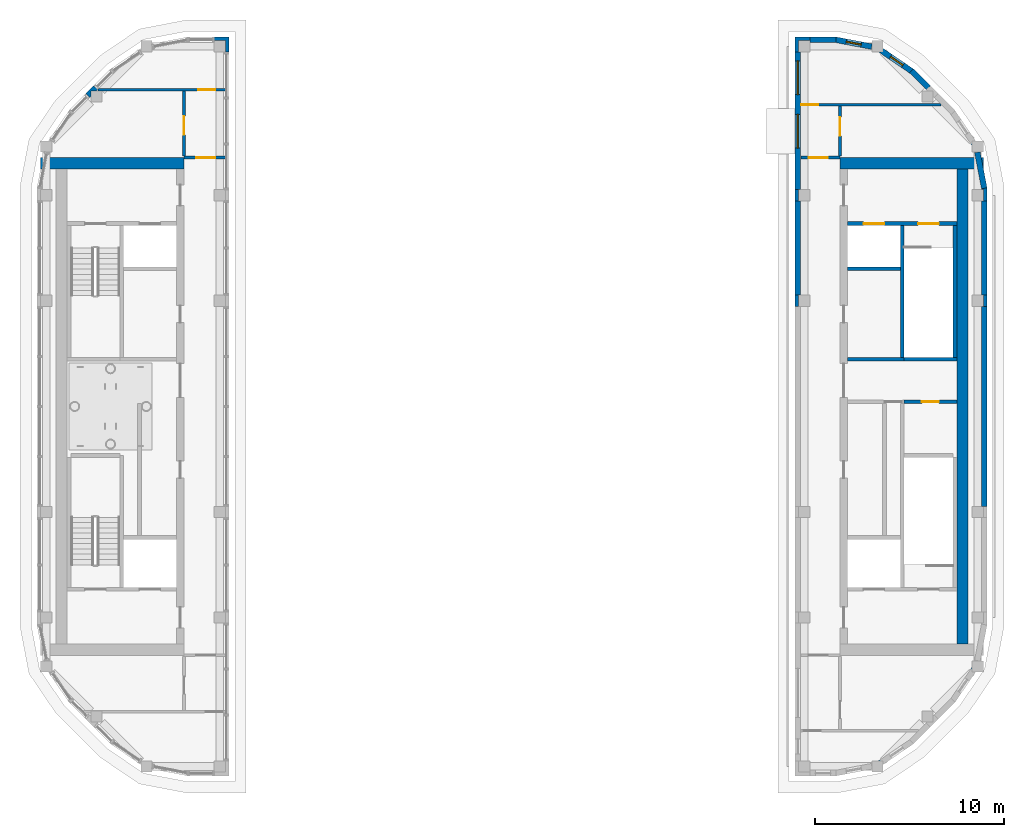
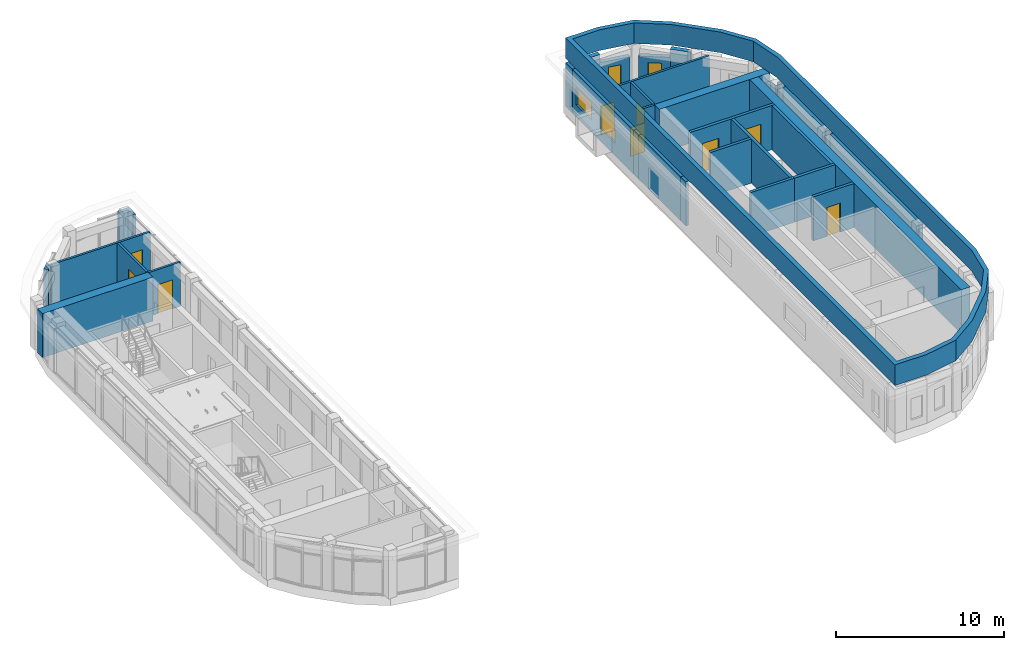
# One storey, part 11 of 16: 33 walls, 9 doors, 4 windows, 13 openings.
"""IFC4 building model written with IfcOpenShell, lengths in metres."""

from ifc_helpers import new_model, si_unit, direction, frame, frame_2d, origin, place, context, subcontext, project, spatial, polyline, rectangle, outline, extrude, material, layer, layer_set, type_object, element, fill, save


model = new_model("IFC4")

# Units and contexts
model_context = context("Model", 3, precision=1e-05, world=origin(), true_north=direction((0.0, 1.0)))
body_context = subcontext(model_context, "Body", "Model", "MODEL_VIEW")
ifc_project = project(units=[si_unit("LENGTHUNIT", "METRE"), si_unit("AREAUNIT", "SQUARE_METRE"), si_unit("VOLUMEUNIT", "CUBIC_METRE"), si_unit("PLANEANGLEUNIT", "RADIAN"), si_unit("MASSUNIT", "GRAM", prefix="KILO")], contexts=[model_context])

# Site, building, storey
site_placement = place(None, origin())
site = spatial("IfcSite", under=ifc_project, at=site_placement, CompositionType="ELEMENT")
building_placement = place(site_placement, origin())
building = spatial("IfcBuilding", under=site, at=building_placement, Name="Kiln Ring Residences", CompositionType="ELEMENT")
storey_placement = place(building_placement, frame((0.0, 0.0, 313.89990234375)))
storey = spatial("IfcBuildingStorey", under=building, at=storey_placement, Name="L81 Crown", CompositionType="ELEMENT", Elevation=313.89990234375)

# Wall, opening, door
ifc_material_1 = material(Name="Gypsum board on steel studs", Category="steel")
ifc_layer_1 = layer(ifc_material_1, 0.199951171875)
ifc_layer_set_1 = layer_set([ifc_layer_1], Name="CORE-PARTITION-200")
wall_type_1 = type_object("IfcWallType", Name="CORE-PARTITION-200", PredefinedType="PARTITIONING", material=ifc_layer_set_1)
wall_1_placement = place(storey_placement, frame((20.800048828125, 0.25, 0.0), z_axis=(0.0, 0.0, 1.0), x_axis=(1.0, 0.0, 0.0)))
wall_1 = element("IfcWall", 1, at=wall_1_placement, inside=storey, type_object=wall_type_1, Name="Core partition east L81 Crown 1", PredefinedType="PARTITIONING", context=body_context, shape_type="SweptSolid", body=[
    extrude(rectangle(XDim=2.800048828125, YDim=0.199951171875, at=frame_2d((1.39990234375, 0.0))), origin(), (0.0, 0.0, 1.0), 3.2001953125),
])
opening_1_placement = place(wall_1_placement, frame((0.949951171875, 0.0, 0.0)))
opening_1 = element("IfcOpeningElement", 2, at=opening_1_placement, cuts=wall_1, Name="Opening L81-CE11", PredefinedType="OPENING", context=body_context, shape_type="SweptSolid", body=[
    extrude(rectangle(XDim=0.89990234375, YDim=2.10009765625, at=frame_2d((0.449951171875, 1.050048828125))), frame((0.0, 0.10986328125, 0.0), z_axis=(0.0, -1.0, 0.0), x_axis=(1.0, 0.0, 0.0)), (0.0, 0.0, 1.0), 0.219970703125),
])
ifc_material_2 = material(Name="Steel door leaf", Category="steel")
door_type_1 = type_object("IfcDoorType", Name="CORE-DOOR-ROOM", OperationType="SINGLE_SWING_LEFT", PredefinedType="DOOR", material=ifc_material_2)
door_1_placement = place(opening_1_placement, origin())
door_1 = element("IfcDoor", 3, at=door_1_placement, inside=storey, type_object=door_type_1, Name="Linen store L81-CE11", OperationType="SINGLE_SWING_RIGHT", OverallHeight=2.10009765625, OverallWidth=0.89990234375, PredefinedType="DOOR", context=body_context, shape_type="SweptSolid", body=[
    extrude(rectangle(XDim=0.89990234375, YDim=2.10009765625, at=frame_2d((0.449951171875, 1.050048828125))), frame((0.0, 0.02490234375, 0.0), z_axis=(0.0, -1.0, 0.0), x_axis=(1.0, 0.0, 0.0)), (0.0, 0.0, 1.0), 0.050048828125),
])
fill(opening_1, door_1)

# Walls
ifc_material_3 = material(Name="Gypsum shaft wall system")
ifc_layer_2 = layer(ifc_material_3, 0.199951171875)
ifc_layer_set_2 = layer_set([ifc_layer_2], Name="CORE-SHAFT-WALL-200")
wall_type_2 = type_object("IfcWallType", Name="CORE-SHAFT-WALL-200", PredefinedType="PARTITIONING", material=ifc_layer_set_2)
wall_2_placement = place(storey_placement, frame((17.800048828125, 2.5, 0.0), z_axis=(0.0, 0.0, 1.0), x_axis=(1.0, 0.0, 0.0)))
element("IfcWall", 4, at=wall_2_placement, inside=storey, type_object=wall_type_2, Name="Core partition east L81 Crown 5", PredefinedType="PARTITIONING", context=body_context, shape_type="SweptSolid", body=[
    extrude(rectangle(XDim=3.0, YDim=0.199951171875, at=frame_2d((1.5, 0.0))), origin(), (0.0, 0.0, 1.0), 3.2001953125),
])
wall_3_placement = place(storey_placement, frame((17.800048828125, 7.300048828125, 0.0), z_axis=(0.0, 0.0, 1.0), x_axis=(1.0, 0.0, 0.0)))
element("IfcWall", 5, at=wall_3_placement, inside=storey, type_object=wall_type_2, Name="Core partition east L81 Crown 6", PredefinedType="PARTITIONING", context=body_context, shape_type="SweptSolid", body=[
    extrude(rectangle(XDim=2.800048828125, YDim=0.199951171875, at=frame_2d((1.39990234375, 0.0))), origin(), (0.0, 0.0, 1.0), 3.2001953125),
])
ifc_material_4 = material(Name="Concrete C40/50", Category="concrete")
ifc_layer_3 = layer(ifc_material_4, 0.199951171875)
ifc_layer_set_3 = layer_set([ifc_layer_3], Name="CORE-WALL-RC200")
wall_type_3 = type_object("IfcWallType", Name="CORE-WALL-RC200", PredefinedType="SHEAR", material=ifc_layer_set_3)
wall_4_placement = place(storey_placement, frame((20.699951171875, 2.60009765625, 0.0), z_axis=(0.0, 0.0, 1.0), x_axis=(0.0, 1.0, 0.0)))
element("IfcWall", 6, at=wall_4_placement, inside=storey, type_object=wall_type_3, Name="Core wall east L81 Crown 1", PredefinedType="SHEAR", context=body_context, shape_type="SweptSolid", body=[
    extrude(rectangle(XDim=7.0, YDim=0.199951171875, at=frame_2d((3.5, 0.0))), origin(), (0.0, 0.0, 1.0), 3.2001953125),
])
wall_5_placement = place(storey_placement, frame((20.800048828125, 2.5, 0.0), z_axis=(0.0, 0.0, 1.0), x_axis=(1.0, 0.0, 0.0)))
element("IfcWall", 7, at=wall_5_placement, inside=storey, type_object=wall_type_3, Name="Core wall east L81 Crown 3", PredefinedType="SHEAR", context=body_context, shape_type="SweptSolid", body=[
    extrude(rectangle(XDim=2.800048828125, YDim=0.199951171875, at=frame_2d((1.39990234375, 0.0))), origin(), (0.0, 0.0, 1.0), 3.2001953125),
])

# Wall, openings, doors
wall_6_placement = place(storey_placement, frame((17.800048828125, 9.699951171875, 0.0), z_axis=(0.0, 0.0, 1.0), x_axis=(1.0, 0.0, 0.0)))
wall_6 = element("IfcWall", 8, at=wall_6_placement, inside=storey, type_object=wall_type_3, Name="Core wall east L81 Crown 9", PredefinedType="SHEAR", context=body_context, shape_type="SweptSolid", body=[
    extrude(rectangle(XDim=5.800048828125, YDim=0.199951171875, at=frame_2d((2.89990234375, 0.0))), origin(), (0.0, 0.0, 1.0), 3.2001953125),
])
opening_2_placement = place(wall_6_placement, frame((0.85009765625, 0.0, 0.0)))
opening_2 = element("IfcOpeningElement", 9, at=opening_2_placement, cuts=wall_6, Name="Opening L81-CE05", PredefinedType="OPENING", context=body_context, shape_type="SweptSolid", body=[
    extrude(rectangle(XDim=1.10009765625, YDim=2.10009765625, at=frame_2d((0.550048828125, 1.050048828125))), frame((0.0, 0.10986328125, 0.0), z_axis=(0.0, -1.0, 0.0), x_axis=(1.0, 0.0, 0.0)), (0.0, 0.0, 1.0), 0.219970703125),
])
opening_3_placement = place(wall_6_placement, frame((3.75, 0.0, 0.0)))
opening_3 = element("IfcOpeningElement", 10, at=opening_3_placement, cuts=wall_6, Name="Opening L81-CE08", PredefinedType="OPENING", context=body_context, shape_type="SweptSolid", body=[
    extrude(rectangle(XDim=1.10009765625, YDim=2.10009765625, at=frame_2d((0.550048828125, 1.050048828125))), frame((0.0, 0.10986328125, 0.0), z_axis=(0.0, -1.0, 0.0), x_axis=(1.0, 0.0, 0.0)), (0.0, 0.0, 1.0), 0.219970703125),
])
ifc_material_5 = material(Name="Steel door leaf", Category="steel")
door_type_2 = type_object("IfcDoorType", Name="CORE-DOOR-LD", OperationType="DOUBLE_DOOR_SLIDING", PredefinedType="DOOR", material=ifc_material_5)
door_2_placement = place(opening_2_placement, origin())
door_2 = element("IfcDoor", 11, at=door_2_placement, inside=storey, type_object=door_type_2, Name="LD E-FF L81-CE05", OperationType="DOUBLE_DOOR_SLIDING", OverallHeight=2.10009765625, OverallWidth=1.10009765625, PredefinedType="DOOR", context=body_context, shape_type="SweptSolid", body=[
    extrude(rectangle(XDim=1.10009765625, YDim=2.10009765625, at=frame_2d((0.550048828125, 1.050048828125))), frame((0.0, 0.02490234375, 0.0), z_axis=(0.0, -1.0, 0.0), x_axis=(1.0, 0.0, 0.0)), (0.0, 0.0, 1.0), 0.050048828125),
])
fill(opening_2, door_2)
ifc_material_6 = material(Name="Steel door leaf", Category="steel")
door_type_3 = type_object("IfcDoorType", Name="CORE-DOOR-STAIR", OperationType="SINGLE_SWING_LEFT", PredefinedType="DOOR", material=ifc_material_6)
door_3_placement = place(opening_3_placement, origin())
door_3 = element("IfcDoor", 12, at=door_3_placement, inside=storey, type_object=door_type_3, Name="Stair E-STN L81-CE08", OperationType="SINGLE_SWING_LEFT", OverallHeight=2.10009765625, OverallWidth=1.10009765625, PredefinedType="DOOR", context=body_context, shape_type="SweptSolid", body=[
    extrude(rectangle(XDim=1.10009765625, YDim=2.10009765625, at=frame_2d((0.550048828125, 1.050048828125))), frame((0.0, 0.02490234375, 0.0), z_axis=(0.0, -1.0, 0.0), x_axis=(1.0, 0.0, 0.0)), (0.0, 0.0, 1.0), 0.050048828125),
])
fill(opening_3, door_3)

# Walls
wall_7_placement = place(storey_placement, frame((23.5, 2.60009765625, 0.0), z_axis=(0.0, 0.0, 1.0), x_axis=(0.0, 1.0, 0.0)))
element("IfcWall", 13, at=wall_7_placement, inside=storey, type_object=wall_type_3, Name="Core wall east L81 Crown 10", PredefinedType="SHEAR", context=body_context, shape_type="SweptSolid", body=[
    extrude(rectangle(XDim=7.0, YDim=0.199951171875, at=frame_2d((3.5, 0.0))), origin(), (0.0, 0.0, 1.0), 3.2001953125),
])
ifc_material_7 = material(Name="Concrete C60/75", Category="concrete")
ifc_layer_4 = layer(ifc_material_7, 0.60009765625)
ifc_layer_set_4 = layer_set([ifc_layer_4], Name="CORE-WALL-RC600")
wall_type_4 = type_object("IfcWallType", Name="CORE-WALL-RC600", PredefinedType="SHEAR", material=ifc_layer_set_4)
for number, where, z_axis, x_axis, name in (
    (14, (-17.39990234375, 12.89990234375, 0.0), (0.0, 0.0, 1.0), (-1.0, 0.0, 0.0), "Core wall west L81 Crown 4"),
    (15, (17.39990234375, 12.89990234375, 0.0), (0.0, 0.0, 1.0), (1.0, 0.0, 0.0), "Core wall east L81 Crown 4"),
):
    element("IfcWall", number, at=place(storey_placement, frame(where, z_axis=z_axis, x_axis=x_axis)), inside=storey, type_object=wall_type_4, Name=name, PredefinedType="SHEAR", context=body_context, shape_type="SweptSolid", body=[
        extrude(rectangle(XDim=7.60009765625, YDim=0.60009765625, at=frame_2d((3.800048828125, 0.0))), origin(), (0.0, 0.0, 1.0), 3.2001953125),
    ])
wall_8_placement = place(storey_placement, frame((23.89990234375, -12.60009765625, 0.0), z_axis=(0.0, 0.0, 1.0), x_axis=(0.0, 1.0, 0.0)))
element("IfcWall", 16, at=wall_8_placement, inside=storey, type_object=wall_type_4, Name="Core wall east L81 Crown 7", PredefinedType="SHEAR", context=body_context, shape_type="SweptSolid", body=[
    extrude(rectangle(XDim=25.2001953125, YDim=0.60009765625, at=frame_2d((12.60009765625, 0.0))), origin(), (0.0, 0.0, 1.0), 3.2001953125),
])

# Wall, openings, windows
ifc_material_8 = material(Name="Brick masonry, dark clay brick", Category="masonry")
ifc_layer_5 = layer(ifc_material_8, 0.300048828125)
ifc_layer_set_5 = layer_set([ifc_layer_5], Name="EW-300 BRICK WALL")
wall_type_5 = type_object("IfcWallType", Name="EW-300 BRICK WALL", PredefinedType="SOLIDWALL", material=ifc_layer_set_5)
wall_9_placement = place(storey_placement, frame((15.14990234375, 18.800048828125, 0.0), z_axis=(0.0, 0.0, 1.0), x_axis=(0.0, -1.0, 0.0)))
wall_9 = element("IfcWall", 17, at=wall_9_placement, inside=storey, type_object=wall_type_5, Name="Facade wall L81 Crown 1", PredefinedType="SOLIDWALL", context=body_context, shape_type="SweptSolid", body=[
    extrude(rectangle(XDim=7.300048828125, YDim=0.300048828125, at=frame_2d((3.64990234375, 0.0))), origin(), (0.0, 0.0, 1.0), 3.2001953125),
])
opening_4_placement = place(wall_9_placement, frame((0.46240234375, 0.0, 0.89990234375)))
opening_4 = element("IfcOpeningElement", 18, at=opening_4_placement, cuts=wall_9, Name="Opening W2", PredefinedType="OPENING", context=body_context, shape_type="SweptSolid", body=[
    extrude(rectangle(XDim=1.800048828125, YDim=1.25, at=frame_2d((0.89990234375, 0.625))), frame((0.0, 0.159912109375, 0.0), z_axis=(0.0, -1.0, 0.0), x_axis=(1.0, 0.0, 0.0)), (0.0, 0.0, 1.0), 0.320068359375),
])
opening_5_placement = place(wall_9_placement, frame((3.300048828125, 0.0, 0.89990234375)))
opening_5 = element("IfcOpeningElement", 19, at=opening_5_placement, cuts=wall_9, Name="Opening W2", PredefinedType="OPENING", context=body_context, shape_type="SweptSolid", body=[
    extrude(rectangle(XDim=1.800048828125, YDim=1.25, at=frame_2d((0.89990234375, 0.625))), frame((0.0, 0.159912109375, 0.0), z_axis=(0.0, -1.0, 0.0), x_axis=(1.0, 0.0, 0.0)), (0.0, 0.0, 1.0), 0.320068359375),
])
ifc_material_9 = material(Name="Aluminium frame with double glazing", Category="aluminium")
window_type_1 = type_object("IfcWindowType", Name="WINDOW 1800 x 1250", PartitioningType="SINGLE_PANEL", PredefinedType="WINDOW", material=ifc_material_9)
window_1_placement = place(opening_4_placement, origin())
window_1 = element("IfcWindow", 20, at=window_1_placement, inside=storey, type_object=window_type_1, Name="Window L81 Crown 1", OverallHeight=1.25, OverallWidth=1.800048828125, PartitioningType="SINGLE_PANEL", PredefinedType="WINDOW", context=body_context, shape_type="SweptSolid", body=[
    extrude(rectangle(XDim=1.800048828125, YDim=1.25, at=frame_2d((0.89990234375, 0.625))), frame((0.0, 0.030029296875, 0.0), z_axis=(0.0, -1.0, 0.0), x_axis=(1.0, 0.0, 0.0)), (0.0, 0.0, 1.0), 0.06005859375),
])
fill(opening_4, window_1)
window_2_placement = place(opening_5_placement, origin())
window_2 = element("IfcWindow", 21, at=window_2_placement, inside=storey, type_object=window_type_1, Name="Window L81 Crown 2", OverallHeight=1.25, OverallWidth=1.800048828125, PartitioningType="SINGLE_PANEL", PredefinedType="WINDOW", context=body_context, shape_type="SweptSolid", body=[
    extrude(rectangle(XDim=1.800048828125, YDim=1.25, at=frame_2d((0.89990234375, 0.625))), frame((0.0, 0.030029296875, 0.0), z_axis=(0.0, -1.0, 0.0), x_axis=(1.0, 0.0, 0.0)), (0.0, 0.0, 1.0), 0.06005859375),
])
fill(opening_5, window_2)

# Walls
wall_10_placement = place(storey_placement, frame((15.14990234375, 10.89990234375, 0.0), z_axis=(0.0, 0.0, 1.0), x_axis=(0.0, -1.0, 0.0)))
element("IfcWall", 22, at=wall_10_placement, inside=storey, type_object=wall_type_5, Name="Facade wall L81 Crown 2", PredefinedType="SOLIDWALL", context=body_context, shape_type="SweptSolid", body=[
    extrude(rectangle(XDim=5.0, YDim=0.300048828125, at=frame_2d((2.5, 0.0))), origin(), (0.0, 0.0, 1.0), 3.2001953125),
])
wall_11_placement = place(storey_placement, frame((25.050048828125, -5.300048828125, 0.0), z_axis=(0.0, 0.0, 1.0), x_axis=(0.0, 1.0, 0.0)))
element("IfcWall", 23, at=wall_11_placement, inside=storey, type_object=wall_type_5, Name="Facade wall L81 Crown 14", PredefinedType="SOLIDWALL", context=body_context, shape_type="SweptSolid", body=[
    extrude(rectangle(XDim=10.60009765625, YDim=0.300048828125, at=frame_2d((5.300048828125, 0.0))), origin(), (0.0, 0.0, 1.0), 3.2001953125),
])
wall_12_placement = place(storey_placement, frame((25.050048828125, 5.89990234375, 0.0), z_axis=(0.0, 0.0, 1.0), x_axis=(0.0, 1.0, 0.0)))
element("IfcWall", 24, at=wall_12_placement, inside=storey, type_object=wall_type_5, Name="Facade wall L81 Crown 15", PredefinedType="SOLIDWALL", context=body_context, shape_type="SweptSolid", body=[
    extrude(rectangle(XDim=5.0, YDim=0.300048828125, at=frame_2d((2.5, 0.0))), origin(), (0.0, 0.0, 1.0), 3.2001953125),
])
wall_13_placement = place(storey_placement, frame((25.052490234375, 11.57275390625, 0.0), z_axis=(0.0, 0.0, 1.0), x_axis=(-0.187354129902, 0.982292436095, 0.0)))
element("IfcWall", 25, at=wall_13_placement, inside=storey, type_object=wall_type_5, Name="Facade wall L81 Crown 16", PredefinedType="SOLIDWALL", context=body_context, shape_type="SweptSolid", body=[
    extrude(rectangle(XDim=1.94677734375, YDim=0.300048828125, at=frame_2d((0.973388671875, 0.0))), origin(), (0.0, 0.0, 1.0), 2.60009765625),
])
wall_14_placement = place(storey_placement, frame((22.081787109375, 16.906005859375, 0.0), z_axis=(0.0, 0.0, 1.0), x_axis=(-0.707106781187, 0.707106781187, 0.0)))
element("IfcWall", 26, at=wall_14_placement, inside=storey, type_object=wall_type_5, Name="Facade wall L81 Crown 19", PredefinedType="SOLIDWALL", context=body_context, shape_type="SweptSolid", body=[
    extrude(rectangle(XDim=1.259765625, YDim=0.300048828125, at=frame_2d((0.6298828125, 0.0))), origin(), (0.0, 0.0, 1.0), 3.2001953125),
])

# Wall, opening, window
wall_15_placement = place(storey_placement, frame((21.212646484375, 17.77880859375, 0.0), z_axis=(0.0, 0.0, 1.0), x_axis=(-0.827022075481, 0.562169446579, 0.0)))
wall_15 = element("IfcWall", 27, at=wall_15_placement, inside=storey, type_object=wall_type_5, Name="Facade wall L81 Crown 20", PredefinedType="SOLIDWALL", context=body_context, shape_type="SweptSolid", body=[
    extrude(rectangle(XDim=1.94775390625, YDim=0.300048828125, at=frame_2d((0.973876953125, 0.0))), origin(), (0.0, 0.0, 1.0), 2.60009765625),
])
opening_6_placement = place(wall_15_placement, frame((0.573974609375, 0.0, 0.60009765625)))
opening_6 = element("IfcOpeningElement", 28, at=opening_6_placement, cuts=wall_15, Name="Opening W5", PredefinedType="OPENING", context=body_context, shape_type="SweptSolid", body=[
    extrude(rectangle(XDim=0.800048828125, YDim=1.550048828125, at=frame_2d((0.39990234375, 0.77490234375))), frame((0.0, 0.159912109375, 0.0), z_axis=(0.0, -1.0, 0.0), x_axis=(1.0, 0.0, 0.0)), (0.0, 0.0, 1.0), 0.320068359375),
])
ifc_material_10 = material(Name="Aluminium frame with double glazing", Category="aluminium")
window_type_2 = type_object("IfcWindowType", Name="WINDOW 800 x 1550", PartitioningType="SINGLE_PANEL", PredefinedType="WINDOW", material=ifc_material_10)
window_3_placement = place(opening_6_placement, origin())
window_3 = element("IfcWindow", 29, at=window_3_placement, inside=storey, type_object=window_type_2, Name="Window L81 Crown 10", OverallHeight=1.550048828125, OverallWidth=0.800048828125, PartitioningType="SINGLE_PANEL", PredefinedType="WINDOW", context=body_context, shape_type="SweptSolid", body=[
    extrude(rectangle(XDim=0.800048828125, YDim=1.550048828125, at=frame_2d((0.39990234375, 0.77490234375))), frame((0.0, 0.030029296875, 0.0), z_axis=(0.0, -1.0, 0.0), x_axis=(1.0, 0.0, 0.0)), (0.0, 0.0, 1.0), 0.06005859375),
])
fill(opening_6, window_3)

wall_16_placement = place(storey_placement, frame((19.085205078125, 19.087646484375, 0.0), z_axis=(0.0, 0.0, 1.0), x_axis=(-0.982286967073, 0.187382801553, 0.0)))
wall_16 = element("IfcWall", 30, at=wall_16_placement, inside=storey, type_object=wall_type_5, Name="Facade wall L81 Crown 21", PredefinedType="SOLIDWALL", context=body_context, shape_type="SweptSolid", body=[
    extrude(rectangle(XDim=1.94775390625, YDim=0.300048828125, at=frame_2d((0.973876953125, 0.0))), origin(), (0.0, 0.0, 1.0), 2.60009765625),
])
opening_7_placement = place(wall_16_placement, frame((0.573974609375, 0.0, 0.60009765625)))
opening_7 = element("IfcOpeningElement", 31, at=opening_7_placement, cuts=wall_16, Name="Opening W5", PredefinedType="OPENING", context=body_context, shape_type="SweptSolid", body=[
    extrude(rectangle(XDim=0.800048828125, YDim=1.550048828125, at=frame_2d((0.39990234375, 0.77490234375))), frame((0.0, 0.159912109375, 0.0), z_axis=(0.0, -1.0, 0.0), x_axis=(1.0, 0.0, 0.0)), (0.0, 0.0, 1.0), 0.320068359375),
])
window_4_placement = place(opening_7_placement, origin())
window_4 = element("IfcWindow", 32, at=window_4_placement, inside=storey, type_object=window_type_2, Name="Window L81 Crown 11", OverallHeight=1.550048828125, OverallWidth=0.800048828125, PartitioningType="SINGLE_PANEL", PredefinedType="WINDOW", context=body_context, shape_type="SweptSolid", body=[
    extrude(rectangle(XDim=0.800048828125, YDim=1.550048828125, at=frame_2d((0.39990234375, 0.77490234375))), frame((0.0, 0.030029296875, 0.0), z_axis=(0.0, -1.0, 0.0), x_axis=(1.0, 0.0, 0.0)), (0.0, 0.0, 1.0), 0.06005859375),
])
fill(opening_7, window_4)

# Walls
wall_17_placement = place(storey_placement, frame((17.199951171875, 19.449951171875, 0.0), z_axis=(0.0, 0.0, 1.0), x_axis=(-1.0, 0.0, 0.0)))
element("IfcWall", 33, at=wall_17_placement, inside=storey, type_object=wall_type_5, Name="Facade wall L81 Crown 22", PredefinedType="SOLIDWALL", context=body_context, shape_type="SweptSolid", body=[
    extrude(rectangle(XDim=1.39990234375, YDim=0.300048828125, at=frame_2d((0.699951171875, 0.0))), origin(), (0.0, 0.0, 1.0), 3.2001953125),
])
placement = place(storey_placement, origin())
element("IfcWall", 34, at=placement, inside=storey, type_object=wall_type_5, Name="Corner wall L81 Crown 5", PredefinedType="SOLIDWALL", context=body_context, shape_type="SweptSolid", body=[
    extrude(outline(polyline([(-21.9755859375, 16.800048828125), (-22.18798828125, 17.01220703125), (-22.612060546875, 16.587890625), (-22.39990234375, 16.375732421875), (-22.346435546875, 16.42919921875), (-22.346435546875, 16.746337890625), (-22.029296875, 16.746337890625), (-21.9755859375, 16.800048828125)])), origin(), (0.0, 0.0, 1.0), 3.2001953125),
])
element("IfcWall", 35, at=placement, inside=storey, type_object=wall_type_5, Name="Corner wall L81 Crown 6", PredefinedType="SOLIDWALL", context=body_context, shape_type="SweptSolid", body=[
    extrude(outline(polyline([(-15.0, 18.800048828125), (-15.0, 19.60009765625), (-15.800048828125, 19.60009765625), (-15.800048828125, 19.39990234375), (-15.199951171875, 19.39990234375), (-15.199951171875, 18.800048828125), (-15.0, 18.800048828125)])), origin(), (0.0, 0.0, 1.0), 3.2001953125),
])
element("IfcWall", 36, at=placement, inside=storey, type_object=wall_type_5, Name="Corner wall L81 Crown 14", PredefinedType="SOLIDWALL", context=body_context, shape_type="SweptSolid", body=[
    extrude(outline(polyline([(25.199951171875, 10.89990234375), (25.199951171875, 11.600830078125), (24.9033203125, 11.544189453125), (24.89990234375, 11.56103515625), (24.89990234375, 11.5), (25.0, 11.5), (25.0, 10.89990234375), (25.199951171875, 10.89990234375)])), origin(), (0.0, 0.0, 1.0), 3.2001953125),
])
element("IfcWall", 37, at=placement, inside=storey, type_object=wall_type_5, Name="Corner wall L81 Crown 15", PredefinedType="SOLIDWALL", context=body_context, shape_type="SweptSolid", body=[
    extrude(outline(polyline([(25.0, 5.300048828125), (25.199951171875, 5.300048828125), (25.199951171875, 5.89990234375), (24.89990234375, 5.89990234375), (25.0, 5.89990234375), (25.0, 5.300048828125)])), origin(), (0.0, 0.0, 1.0), 3.2001953125),
])
element("IfcWall", 38, at=placement, inside=storey, type_object=wall_type_5, Name="Corner wall L81 Crown 22", PredefinedType="SOLIDWALL", context=body_context, shape_type="SweptSolid", body=[
    extrude(outline(polyline([(15.300048828125, 5.89990234375), (15.0, 5.89990234375), (15.0, 5.300048828125), (15.300048828125, 5.300048828125), (15.199951171875, 5.300048828125), (15.199951171875, 5.89990234375), (15.300048828125, 5.89990234375)])), origin(), (0.0, 0.0, 1.0), 3.2001953125),
])
element("IfcWall", 39, at=placement, inside=storey, type_object=wall_type_5, Name="Corner wall L81 Crown 23", PredefinedType="SOLIDWALL", context=body_context, shape_type="SweptSolid", body=[
    extrude(outline(polyline([(15.199951171875, 11.5), (15.0, 11.5), (15.0, 10.89990234375), (15.199951171875, 10.89990234375), (15.199951171875, 11.5)])), origin(), (0.0, 0.0, 1.0), 3.2001953125),
])
element("IfcWall", 40, at=placement, inside=storey, type_object=wall_type_5, Name="Corner wall L81 Crown 24", PredefinedType="SOLIDWALL", context=body_context, shape_type="SweptSolid", body=[
    extrude(outline(polyline([(15.800048828125, 19.60009765625), (15.0, 19.60009765625), (15.0, 18.800048828125), (15.199951171875, 18.800048828125), (15.199951171875, 19.39990234375), (15.800048828125, 19.39990234375), (15.800048828125, 19.60009765625)])), origin(), (0.0, 0.0, 1.0), 3.2001953125),
])
ifc_material_11 = material(Name="Brick masonry, dark clay brick", Category="masonry")
ifc_layer_6 = layer(ifc_material_11, 0.300048828125)
ifc_layer_set_6 = layer_set([ifc_layer_6], Name="PARAPET 300 BRICK")
wall_type_6 = type_object("IfcWallType", Name="PARAPET 300 BRICK", PredefinedType="PARAPET", material=ifc_layer_set_6)
wall_25_placement = place(storey_placement, frame((0.0, 0.0, 3.5)))
element("IfcWall", 41, at=wall_25_placement, inside=storey, type_object=wall_type_6, Name="PARAPET east peak roof", PredefinedType="PARAPET", context=body_context, shape_type="SweptSolid", body=[
    extrude(outline(polyline([(15.0, 19.60009765625), (15.0, -19.60009765625), (17.199951171875, -19.60009765625), (19.42431640625, -19.17578125), (21.297119140625, -17.90283203125), (23.5029296875, -15.697021484375), (24.775634765625, -13.82421875), (25.199951171875, -11.60009765625), (25.199951171875, 11.60009765625), (24.775634765625, 13.82421875), (23.5029296875, 15.697021484375), (21.297119140625, 17.90283203125), (19.42431640625, 19.17578125), (17.199951171875, 19.60009765625), (15.0, 19.60009765625)]), holes=[polyline([(17.171630859375, -19.300048828125), (15.300048828125, -19.300048828125), (15.300048828125, 19.300048828125), (17.171630859375, 19.300048828125), (19.306884765625, 18.892578125), (21.10498046875, 17.6708984375), (23.270751953125, 15.5048828125), (24.49267578125, 13.70703125), (24.89990234375, 11.571533203125), (24.89990234375, -11.571533203125), (24.49267578125, -13.70703125), (23.270751953125, -15.5048828125), (21.10498046875, -17.6708984375), (19.306884765625, -18.892578125), (17.171630859375, -19.300048828125)])]), origin(), (0.0, 0.0, 1.0), 1.5),
])

# Wall, opening, door
ifc_material_12 = material(Name="Brick masonry partition", Category="masonry")
ifc_layer_7 = layer(ifc_material_12, 0.14990234375)
ifc_layer_set_7 = layer_set([ifc_layer_7], Name="PARTITION-150-ei60")
wall_type_7 = type_object("IfcWallType", Name="PARTITION-150-ei60", PredefinedType="PARTITIONING", material=ifc_layer_set_7)
wall_26_placement = place(storey_placement, frame((-17.405029296875, 13.199951171875, 0.0), z_axis=(0.0, 0.0, 1.0), x_axis=(1.0, 0.0, 0.0)))
wall_26 = element("IfcWall", 42, at=wall_26_placement, inside=storey, type_object=wall_type_7, Name="Partition 004", PredefinedType="PARTITIONING", context=body_context, shape_type="SweptSolid", body=[
    extrude(rectangle(XDim=2.217041015625, YDim=0.14990234375, at=frame_2d((1.1083984375, 0.0))), origin(), (0.0, 0.0, 1.0), 3.2001953125),
])
opening_8_placement = place(wall_26_placement, frame((0.6650390625, 0.0, 0.0)))
opening_8 = element("IfcOpeningElement", 43, at=opening_8_placement, cuts=wall_26, Name="Opening L81-D001", PredefinedType="OPENING", context=body_context, shape_type="SweptSolid", body=[
    extrude(rectangle(XDim=1.0, YDim=2.10009765625, at=frame_2d((0.5, 1.050048828125))), frame((0.0, 0.0849609375, 0.0), z_axis=(0.0, -1.0, 0.0), x_axis=(1.0, 0.0, 0.0)), (0.0, 0.0, 1.0), 0.169921875),
])
ifc_material_13 = material(Name="Steel faced fire door leaf", Category="steel")
door_type_4 = type_object("IfcDoorType", Name="FLAT-DOOR-1000-FR", OperationType="SINGLE_SWING_LEFT", PredefinedType="DOOR", material=ifc_material_13)
door_4_placement = place(opening_8_placement, origin())
door_4 = element("IfcDoor", 44, at=door_4_placement, inside=storey, type_object=door_type_4, Name="Door L81-D001", OperationType="SINGLE_SWING_RIGHT", OverallHeight=2.10009765625, OverallWidth=1.0, PredefinedType="DOOR", context=body_context, shape_type="SweptSolid", body=[
    extrude(rectangle(XDim=1.0, YDim=2.10009765625, at=frame_2d((0.5, 1.050048828125))), frame((0.0, 0.02490234375, 0.0), z_axis=(0.0, -1.0, 0.0), x_axis=(1.0, 0.0, 0.0)), (0.0, 0.0, 1.0), 0.050048828125),
])
fill(opening_8, door_4)

wall_27_placement = place(storey_placement, frame((15.320068359375, 13.199951171875, 0.0), z_axis=(0.0, 0.0, 1.0), x_axis=(1.0, 0.0, 0.0)))
wall_27 = element("IfcWall", 45, at=wall_27_placement, inside=storey, type_object=wall_type_7, Name="Partition 005", PredefinedType="PARTITIONING", context=body_context, shape_type="SweptSolid", body=[
    extrude(rectangle(XDim=2.0849609375, YDim=0.14990234375, at=frame_2d((1.04248046875, 0.0))), origin(), (0.0, 0.0, 1.0), 3.2001953125),
])
opening_9_placement = place(wall_27_placement, frame((0.429931640625, 0.0, 0.0)))
opening_9 = element("IfcOpeningElement", 46, at=opening_9_placement, cuts=wall_27, Name="Opening L81-D007", PredefinedType="OPENING", context=body_context, shape_type="SweptSolid", body=[
    extrude(rectangle(XDim=1.0, YDim=2.10009765625, at=frame_2d((0.5, 1.050048828125))), frame((0.0, 0.0849609375, 0.0), z_axis=(0.0, -1.0, 0.0), x_axis=(1.0, 0.0, 0.0)), (0.0, 0.0, 1.0), 0.169921875),
])
door_5_placement = place(opening_9_placement, origin())
door_5 = element("IfcDoor", 47, at=door_5_placement, inside=storey, type_object=door_type_4, Name="Door L81-D007", OperationType="SINGLE_SWING_RIGHT", OverallHeight=2.10009765625, OverallWidth=1.0, PredefinedType="DOOR", context=body_context, shape_type="SweptSolid", body=[
    extrude(rectangle(XDim=1.0, YDim=2.10009765625, at=frame_2d((0.5, 1.050048828125))), frame((0.0, 0.02490234375, 0.0), z_axis=(0.0, -1.0, 0.0), x_axis=(1.0, 0.0, 0.0)), (0.0, 0.0, 1.0), 0.050048828125),
])
fill(opening_9, door_5)

wall_28_placement = place(storey_placement, frame((15.320068359375, 16.0, 0.0), z_axis=(0.0, 0.0, 1.0), x_axis=(1.0, 0.0, 0.0)))
wall_28 = element("IfcWall", 48, at=wall_28_placement, inside=storey, type_object=wall_type_7, Name="Partition 006", PredefinedType="PARTITIONING", context=body_context, shape_type="SweptSolid", body=[
    extrude(rectangle(XDim=7.435546875, YDim=0.14990234375, at=frame_2d((3.7177734375, 0.0))), origin(), (0.0, 0.0, 1.0), 3.2001953125),
])
opening_10_placement = place(wall_28_placement, frame((0.030029296875, 0.0, 0.0)))
opening_10 = element("IfcOpeningElement", 49, at=opening_10_placement, cuts=wall_28, Name="Opening L81-D009", PredefinedType="OPENING", context=body_context, shape_type="SweptSolid", body=[
    extrude(rectangle(XDim=0.89990234375, YDim=2.10009765625, at=frame_2d((0.449951171875, 1.050048828125))), frame((0.0, 0.0849609375, 0.0), z_axis=(0.0, -1.0, 0.0), x_axis=(1.0, 0.0, 0.0)), (0.0, 0.0, 1.0), 0.169921875),
])
ifc_material_14 = material(Name="Steel faced fire door leaf", Category="steel")
door_type_5 = type_object("IfcDoorType", Name="FLAT-DOOR-900-FR", OperationType="SINGLE_SWING_LEFT", PredefinedType="DOOR", material=ifc_material_14)
door_6_placement = place(opening_10_placement, origin())
door_6 = element("IfcDoor", 50, at=door_6_placement, inside=storey, type_object=door_type_5, Name="Door L81-D009", OperationType="SINGLE_SWING_RIGHT", OverallHeight=2.10009765625, OverallWidth=0.89990234375, PredefinedType="DOOR", context=body_context, shape_type="SweptSolid", body=[
    extrude(rectangle(XDim=0.89990234375, YDim=2.10009765625, at=frame_2d((0.449951171875, 1.050048828125))), frame((0.0, 0.02490234375, 0.0), z_axis=(0.0, -1.0, 0.0), x_axis=(1.0, 0.0, 0.0)), (0.0, 0.0, 1.0), 0.050048828125),
])
fill(opening_10, door_6)

wall_29_placement = place(storey_placement, frame((-21.955810546875, 16.800048828125, 0.0), z_axis=(0.0, 0.0, 1.0), x_axis=(1.0, 0.0, 0.0)))
wall_29 = element("IfcWall", 51, at=wall_29_placement, inside=storey, type_object=wall_type_7, Name="Partition 007", PredefinedType="PARTITIONING", context=body_context, shape_type="SweptSolid", body=[
    extrude(rectangle(XDim=6.767822265625, YDim=0.14990234375, at=frame_2d((3.3837890625, 0.0))), origin(), (0.0, 0.0, 1.0), 3.2001953125),
])
opening_11_placement = place(wall_29_placement, frame((5.315673828125, 0.0, 0.0)))
opening_11 = element("IfcOpeningElement", 52, at=opening_11_placement, cuts=wall_29, Name="Opening L81-D003", PredefinedType="OPENING", context=body_context, shape_type="SweptSolid", body=[
    extrude(rectangle(XDim=0.89990234375, YDim=2.10009765625, at=frame_2d((0.449951171875, 1.050048828125))), frame((0.0, 0.0849609375, 0.0), z_axis=(0.0, -1.0, 0.0), x_axis=(1.0, 0.0, 0.0)), (0.0, 0.0, 1.0), 0.169921875),
])
door_7_placement = place(opening_11_placement, origin())
door_7 = element("IfcDoor", 53, at=door_7_placement, inside=storey, type_object=door_type_5, Name="Door L81-D003", OperationType="SINGLE_SWING_LEFT", OverallHeight=2.10009765625, OverallWidth=0.89990234375, PredefinedType="DOOR", context=body_context, shape_type="SweptSolid", body=[
    extrude(rectangle(XDim=0.89990234375, YDim=2.10009765625, at=frame_2d((0.449951171875, 1.050048828125))), frame((0.0, 0.02490234375, 0.0), z_axis=(0.0, -1.0, 0.0), x_axis=(1.0, 0.0, 0.0)), (0.0, 0.0, 1.0), 0.050048828125),
])
fill(opening_11, door_7)

wall_30_placement = place(storey_placement, frame((-17.39990234375, 13.27490234375, 0.0), z_axis=(0.0, 0.0, 1.0), x_axis=(0.0, 1.0, 0.0)))
wall_30 = element("IfcWall", 54, at=wall_30_placement, inside=storey, type_object=wall_type_7, Name="Partition 009", PredefinedType="PARTITIONING", context=body_context, shape_type="SweptSolid", body=[
    extrude(rectangle(XDim=3.4501953125, YDim=0.14990234375, at=frame_2d((1.72509765625, 0.0))), origin(), (0.0, 0.0, 1.0), 3.2001953125),
])
opening_12_placement = place(wall_30_placement, frame((1.125, 0.0, 0.0)))
opening_12 = element("IfcOpeningElement", 55, at=opening_12_placement, cuts=wall_30, Name="Opening L81-D002", PredefinedType="OPENING", context=body_context, shape_type="SweptSolid", body=[
    extrude(rectangle(XDim=1.0, YDim=2.10009765625, at=frame_2d((0.5, 1.050048828125))), frame((0.0, 0.0849609375, 0.0), z_axis=(0.0, -1.0, 0.0), x_axis=(1.0, 0.0, 0.0)), (0.0, 0.0, 1.0), 0.169921875),
])
door_8_placement = place(opening_12_placement, origin())
door_8 = element("IfcDoor", 56, at=door_8_placement, inside=storey, type_object=door_type_4, Name="Door L81-D002", OperationType="SINGLE_SWING_RIGHT", OverallHeight=2.10009765625, OverallWidth=1.0, PredefinedType="DOOR", context=body_context, shape_type="SweptSolid", body=[
    extrude(rectangle(XDim=1.0, YDim=2.10009765625, at=frame_2d((0.5, 1.050048828125))), frame((0.0, 0.02490234375, 0.0), z_axis=(0.0, -1.0, 0.0), x_axis=(1.0, 0.0, 0.0)), (0.0, 0.0, 1.0), 0.050048828125),
])
fill(opening_12, door_8)

wall_31_placement = place(storey_placement, frame((17.39990234375, 13.27490234375, 0.0), z_axis=(0.0, 0.0, 1.0), x_axis=(0.0, 1.0, 0.0)))
wall_31 = element("IfcWall", 57, at=wall_31_placement, inside=storey, type_object=wall_type_7, Name="Partition 011", PredefinedType="PARTITIONING", context=body_context, shape_type="SweptSolid", body=[
    extrude(rectangle(XDim=2.650146484375, YDim=0.14990234375, at=frame_2d((1.3251953125, 0.0))), origin(), (0.0, 0.0, 1.0), 3.2001953125),
])
opening_13_placement = place(wall_31_placement, frame((1.074951171875, 0.0, 0.0)))
opening_13 = element("IfcOpeningElement", 58, at=opening_13_placement, cuts=wall_31, Name="Opening L81-D008", PredefinedType="OPENING", context=body_context, shape_type="SweptSolid", body=[
    extrude(rectangle(XDim=1.0, YDim=2.10009765625, at=frame_2d((0.5, 1.050048828125))), frame((0.0, 0.0849609375, 0.0), z_axis=(0.0, -1.0, 0.0), x_axis=(1.0, 0.0, 0.0)), (0.0, 0.0, 1.0), 0.169921875),
])
door_9_placement = place(opening_13_placement, origin())
door_9 = element("IfcDoor", 59, at=door_9_placement, inside=storey, type_object=door_type_4, Name="Door L81-D008", OperationType="SINGLE_SWING_RIGHT", OverallHeight=2.10009765625, OverallWidth=1.0, PredefinedType="DOOR", context=body_context, shape_type="SweptSolid", body=[
    extrude(rectangle(XDim=1.0, YDim=2.10009765625, at=frame_2d((0.5, 1.050048828125))), frame((0.0, 0.02490234375, 0.0), z_axis=(0.0, -1.0, 0.0), x_axis=(1.0, 0.0, 0.0)), (0.0, 0.0, 1.0), 0.050048828125),
])
fill(opening_13, door_9)

save(model, "model.ifc")
